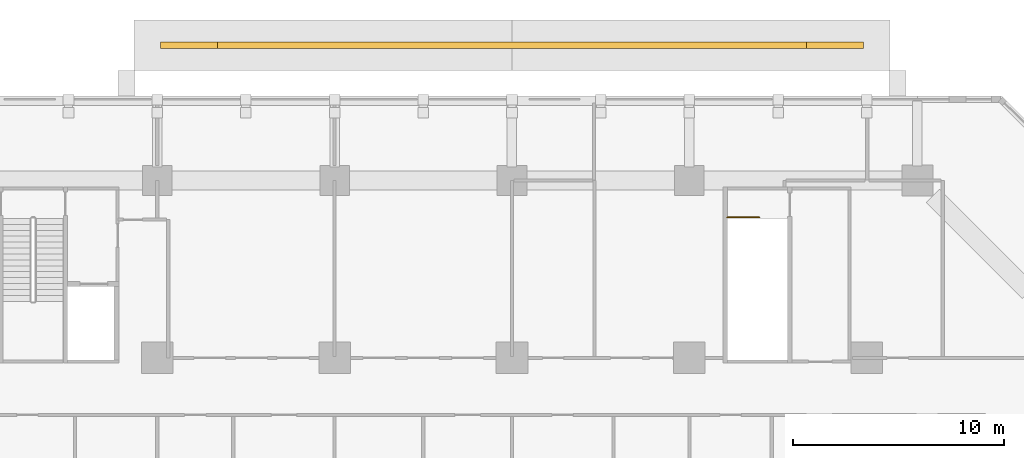
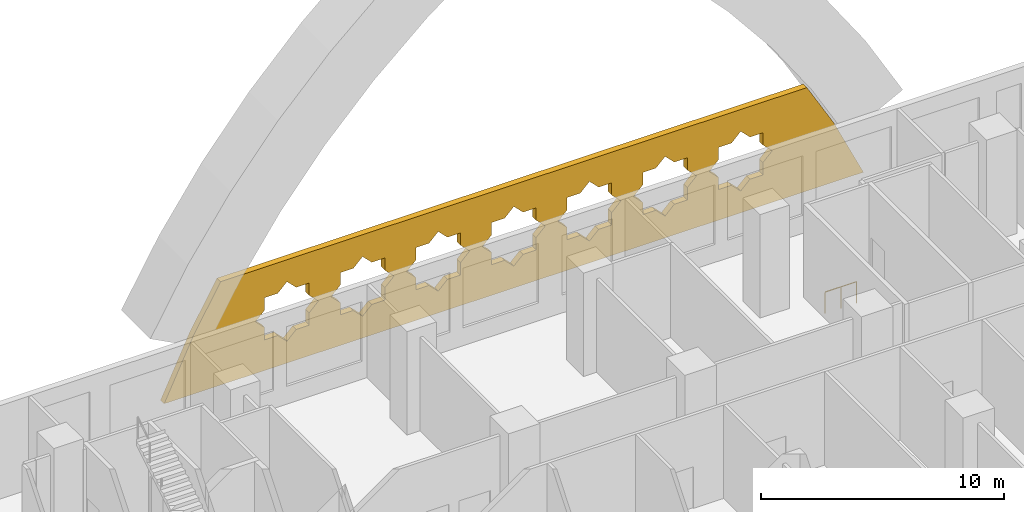
# One storey, part 25 of 25: 1 covering, 1 railing.
"""IFC4 building model written with IfcOpenShell, lengths in metres."""

from ifc_helpers import new_model, si_unit, direction, frame, origin, origin_2d, place, context, subcontext, project, spatial, polyline, circle, outline, extrude, material, layer, layer_set, type_object, element, save


model = new_model("IFC4")

# Units and contexts
model_context = context("Model", 3, precision=1e-05, world=origin(), true_north=direction((0.0, 1.0)))
body_context = subcontext(model_context, "Body", "Model", "MODEL_VIEW")
ifc_project = project(units=[si_unit("LENGTHUNIT", "METRE"), si_unit("AREAUNIT", "SQUARE_METRE"), si_unit("VOLUMEUNIT", "CUBIC_METRE"), si_unit("PLANEANGLEUNIT", "RADIAN"), si_unit("MASSUNIT", "GRAM", prefix="KILO")], contexts=[model_context])

# Site, building, storey
site_placement = place(None, origin())
site = spatial("IfcSite", under=ifc_project, at=site_placement, CompositionType="ELEMENT")
building_placement = place(site_placement, origin())
building = spatial("IfcBuilding", under=site, at=building_placement, Name="Kawkab Arch Medical Tower", CompositionType="ELEMENT")
storey_placement = place(building_placement, frame((0.0, 0.0, 29.0)))
storey = spatial("IfcBuildingStorey", under=building, at=storey_placement, Name="L06", CompositionType="ELEMENT", Elevation=29.0)

# Covering
ifc_material_1 = material(Name="Perforated bronze anodised aluminium, eight-point star pattern", Category="aluminium")
ifc_layer = layer(ifc_material_1, 0.300048828125)
ifc_layer_set = layer_set([ifc_layer], Name="Perforated bronze anodised aluminium, eight-point star pattern")
covering_type = type_object("IfcCoveringType", Name="Spandrel star screen 300", PredefinedType="USERDEFINED", material=ifc_layer_set)
covering_placement = place(storey_placement, frame((0.0, 6.550048828125, -29.0), z_axis=(0.0, -1.0, 0.0), x_axis=(1.0, 0.0, 0.0)))
element("IfcCovering", 1, at=covering_placement, inside=storey, type_object=covering_type, Name="Spandrel screen N 5.1", ObjectType="SCREEN", PredefinedType="USERDEFINED", context=body_context, shape_type="SweptSolid", body=[
    extrude(outline(polyline([(50.55859375, 29.0), (83.841552734375, 29.0), (82.446533203125, 31.95166015625), (81.154052734375, 34.199951171875), (53.24609375, 34.199951171875), (51.953369140625, 31.95166015625), (50.55859375, 29.0)]), holes=[polyline([(57.89990234375, 31.60009765625), (57.460693359375, 32.039306640625), (57.460693359375, 32.66064453125), (56.83935546875, 32.66064453125), (56.39990234375, 33.10009765625), (55.960693359375, 32.66064453125), (55.33935546875, 32.66064453125), (55.33935546875, 32.039306640625), (54.89990234375, 31.60009765625), (55.33935546875, 31.16064453125), (55.33935546875, 30.539306640625), (55.960693359375, 30.539306640625), (56.39990234375, 30.10009765625), (56.83935546875, 30.539306640625), (57.460693359375, 30.539306640625), (57.460693359375, 31.16064453125), (57.89990234375, 31.60009765625)]), polyline([(61.5, 31.60009765625), (61.060791015625, 32.039306640625), (61.060791015625, 32.66064453125), (60.439208984375, 32.66064453125), (60.0, 33.10009765625), (59.560791015625, 32.66064453125), (58.939208984375, 32.66064453125), (58.939208984375, 32.039306640625), (58.5, 31.60009765625), (58.939208984375, 31.16064453125), (58.939208984375, 30.539306640625), (59.560791015625, 30.539306640625), (60.0, 30.10009765625), (60.439208984375, 30.539306640625), (61.060791015625, 30.539306640625), (61.060791015625, 31.16064453125), (61.5, 31.60009765625)]), polyline([(65.10009765625, 31.60009765625), (64.66064453125, 32.039306640625), (64.66064453125, 32.66064453125), (64.039306640625, 32.66064453125), (63.60009765625, 33.10009765625), (63.16064453125, 32.66064453125), (62.539306640625, 32.66064453125), (62.539306640625, 32.039306640625), (62.10009765625, 31.60009765625), (62.539306640625, 31.16064453125), (62.539306640625, 30.539306640625), (63.16064453125, 30.539306640625), (63.60009765625, 30.10009765625), (64.039306640625, 30.539306640625), (64.66064453125, 30.539306640625), (64.66064453125, 31.16064453125), (65.10009765625, 31.60009765625)]), polyline([(68.699951171875, 31.60009765625), (68.2607421875, 32.039306640625), (68.2607421875, 32.66064453125), (67.639404296875, 32.66064453125), (67.199951171875, 33.10009765625), (66.7607421875, 32.66064453125), (66.139404296875, 32.66064453125), (66.139404296875, 32.039306640625), (65.699951171875, 31.60009765625), (66.139404296875, 31.16064453125), (66.139404296875, 30.539306640625), (66.7607421875, 30.539306640625), (67.199951171875, 30.10009765625), (67.639404296875, 30.539306640625), (68.2607421875, 30.539306640625), (68.2607421875, 31.16064453125), (68.699951171875, 31.60009765625)]), polyline([(72.300048828125, 31.60009765625), (71.860595703125, 32.039306640625), (71.860595703125, 32.66064453125), (71.2392578125, 32.66064453125), (70.800048828125, 33.10009765625), (70.360595703125, 32.66064453125), (69.7392578125, 32.66064453125), (69.7392578125, 32.039306640625), (69.300048828125, 31.60009765625), (69.7392578125, 31.16064453125), (69.7392578125, 30.539306640625), (70.360595703125, 30.539306640625), (70.800048828125, 30.10009765625), (71.2392578125, 30.539306640625), (71.860595703125, 30.539306640625), (71.860595703125, 31.16064453125), (72.300048828125, 31.60009765625)]), polyline([(75.89990234375, 31.60009765625), (75.460693359375, 32.039306640625), (75.460693359375, 32.66064453125), (74.83935546875, 32.66064453125), (74.39990234375, 33.10009765625), (73.960693359375, 32.66064453125), (73.33935546875, 32.66064453125), (73.33935546875, 32.039306640625), (72.89990234375, 31.60009765625), (73.33935546875, 31.16064453125), (73.33935546875, 30.539306640625), (73.960693359375, 30.539306640625), (74.39990234375, 30.10009765625), (74.83935546875, 30.539306640625), (75.460693359375, 30.539306640625), (75.460693359375, 31.16064453125), (75.89990234375, 31.60009765625)]), polyline([(79.5, 31.60009765625), (79.060791015625, 32.039306640625), (79.060791015625, 32.66064453125), (78.439208984375, 32.66064453125), (78.0, 33.10009765625), (77.560791015625, 32.66064453125), (76.939208984375, 32.66064453125), (76.939208984375, 32.039306640625), (76.5, 31.60009765625), (76.939208984375, 31.16064453125), (76.939208984375, 30.539306640625), (77.560791015625, 30.539306640625), (78.0, 30.10009765625), (78.439208984375, 30.539306640625), (79.060791015625, 30.539306640625), (79.060791015625, 31.16064453125), (79.5, 31.60009765625)])]), origin(), (0.0, 0.0, 1.0), 0.300048828125),
])

# Railing
ifc_material_2 = material(Name="Stainless steel", Category="steel")
railing_type = type_object("IfcRailingType", Name="Stair guard 1100", PredefinedType="GUARDRAIL", material=ifc_material_2)
railing_placement = place(storey_placement, frame((77.39990234375, -1.75, 0.0)))
element("IfcRailing", 2, at=railing_placement, inside=storey, type_object=railing_type, Name="L06 ST7 top well guard 1", PredefinedType="GUARDRAIL", context=body_context, shape_type="SweptSolid", body=[
    extrude(circle(Radius=0.02392578125, at=origin_2d()), frame((0.0, 0.0, 1.076171875), z_axis=(1.0, 0.0, 0.0), x_axis=(0.0, 1.0, 0.0)), (0.0, 0.0, 1.0), 1.5),
    extrude(circle(Radius=0.02099609375, at=origin_2d()), origin(), (0.0, 0.0, 1.0), 1.052001953125),
    extrude(circle(Radius=0.02099609375, at=origin_2d()), frame((0.75, 0.0, 0.0)), (0.0, 0.0, 1.0), 1.052001953125),
    extrude(circle(Radius=0.02099609375, at=origin_2d()), frame((1.5, 0.0, 0.0)), (0.0, 0.0, 1.0), 1.052001953125),
])

save(model, "model.ifc")
